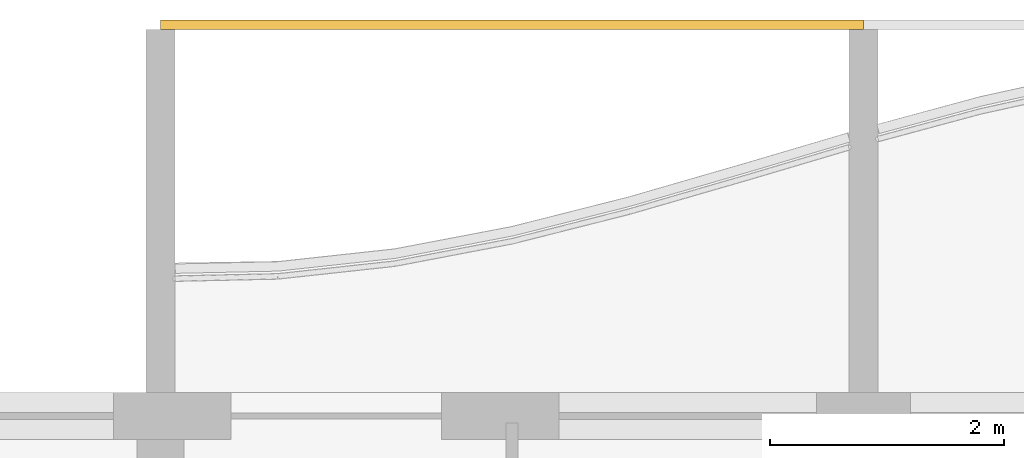
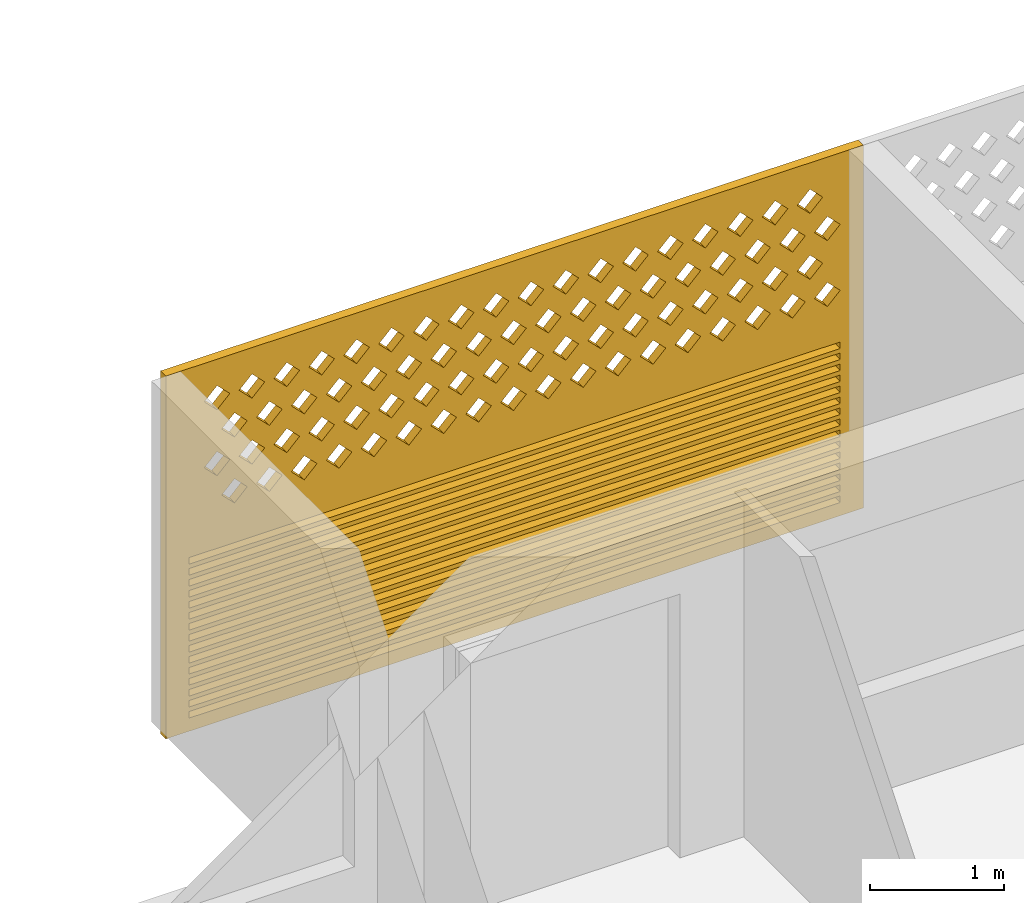
# One storey, part 27 of 44: 1 covering.
"""IFC4 building model written with IfcOpenShell, lengths in metres."""

from ifc_helpers import new_model, si_unit, direction, frame, origin, place, context, subcontext, project, spatial, polyline, outline, extrude, source, transform, mapped, material, material_profile, profile_set, type_object, element, save


model = new_model("IFC4")

# Units and contexts
model_context = context("Model", 3, precision=1e-05, world=origin(), true_north=direction((0.0, 1.0)))
body_context = subcontext(model_context, "Body", "Model", "MODEL_VIEW")
ifc_project = project(units=[si_unit("LENGTHUNIT", "METRE"), si_unit("AREAUNIT", "SQUARE_METRE"), si_unit("VOLUMEUNIT", "CUBIC_METRE"), si_unit("PLANEANGLEUNIT", "RADIAN"), si_unit("MASSUNIT", "GRAM", prefix="KILO")], contexts=[model_context])

# Site, building, storey
site_placement = place(None, origin())
site = spatial("IfcSite", under=ifc_project, at=site_placement, CompositionType="ELEMENT")
building_placement = place(site_placement, origin())
building = spatial("IfcBuilding", under=site, at=building_placement, Name="Poui Terraces", CompositionType="ELEMENT")
storey_placement = place(building_placement, frame((0.0, 0.0, 26.699951171875)))
storey = spatial("IfcBuildingStorey", under=building, at=storey_placement, Name="L06", CompositionType="ELEMENT", Elevation=26.699951171875)

# Covering
ifc_material = material(Name="Terracotta screen", Category="masonry")
ifc_material_profile = material_profile(ifc_material, outline(polyline([(-3.0, -1.64990234375), (3.0, -1.64990234375), (3.0, 1.64990234375), (-3.0, 1.64990234375), (-3.0, -1.64990234375)]), holes=[polyline([(-2.800048828125, 0.39990234375), (-2.68994140625, 0.2900390625), (-2.580078125, 0.39990234375), (-2.68994140625, 0.510009765625), (-2.800048828125, 0.39990234375)]), polyline([(-2.5, 0.39990234375), (-2.389892578125, 0.2900390625), (-2.280029296875, 0.39990234375), (-2.389892578125, 0.510009765625), (-2.5, 0.39990234375)]), polyline([(-2.199951171875, 0.39990234375), (-2.090087890625, 0.2900390625), (-1.97998046875, 0.39990234375), (-2.090087890625, 0.510009765625), (-2.199951171875, 0.39990234375)]), polyline([(-1.89990234375, 0.39990234375), (-1.7900390625, 0.2900390625), (-1.679931640625, 0.39990234375), (-1.7900390625, 0.510009765625), (-1.89990234375, 0.39990234375)]), polyline([(-1.60009765625, 0.39990234375), (-1.489990234375, 0.2900390625), (-1.3798828125, 0.39990234375), (-1.489990234375, 0.510009765625), (-1.60009765625, 0.39990234375)]), polyline([(-1.300048828125, 0.39990234375), (-1.18994140625, 0.2900390625), (-1.080078125, 0.39990234375), (-1.18994140625, 0.510009765625), (-1.300048828125, 0.39990234375)]), polyline([(-1.0, 0.39990234375), (-0.889892578125, 0.2900390625), (-0.780029296875, 0.39990234375), (-0.889892578125, 0.510009765625), (-1.0, 0.39990234375)]), polyline([(-0.699951171875, 0.39990234375), (-0.590087890625, 0.2900390625), (-0.47998046875, 0.39990234375), (-0.590087890625, 0.510009765625), (-0.699951171875, 0.39990234375)]), polyline([(-0.39990234375, 0.39990234375), (-0.2900390625, 0.2900390625), (-0.179931640625, 0.39990234375), (-0.2900390625, 0.510009765625), (-0.39990234375, 0.39990234375)]), polyline([(-0.10009765625, 0.39990234375), (0.010009765625, 0.2900390625), (0.1201171875, 0.39990234375), (0.010009765625, 0.510009765625), (-0.10009765625, 0.39990234375)]), polyline([(0.199951171875, 0.39990234375), (0.31005859375, 0.2900390625), (0.419921875, 0.39990234375), (0.31005859375, 0.510009765625), (0.199951171875, 0.39990234375)]), polyline([(0.5, 0.39990234375), (0.610107421875, 0.2900390625), (0.719970703125, 0.39990234375), (0.610107421875, 0.510009765625), (0.5, 0.39990234375)]), polyline([(0.800048828125, 0.39990234375), (0.909912109375, 0.2900390625), (1.02001953125, 0.39990234375), (0.909912109375, 0.510009765625), (0.800048828125, 0.39990234375)]), polyline([(1.10009765625, 0.39990234375), (1.2099609375, 0.2900390625), (1.320068359375, 0.39990234375), (1.2099609375, 0.510009765625), (1.10009765625, 0.39990234375)]), polyline([(1.39990234375, 0.39990234375), (1.510009765625, 0.2900390625), (1.6201171875, 0.39990234375), (1.510009765625, 0.510009765625), (1.39990234375, 0.39990234375)]), polyline([(1.699951171875, 0.39990234375), (1.81005859375, 0.2900390625), (1.919921875, 0.39990234375), (1.81005859375, 0.510009765625), (1.699951171875, 0.39990234375)]), polyline([(2.0, 0.39990234375), (2.110107421875, 0.2900390625), (2.219970703125, 0.39990234375), (2.110107421875, 0.510009765625), (2.0, 0.39990234375)]), polyline([(2.300048828125, 0.39990234375), (2.409912109375, 0.2900390625), (2.52001953125, 0.39990234375), (2.409912109375, 0.510009765625), (2.300048828125, 0.39990234375)]), polyline([(-2.64990234375, 0.699951171875), (-2.5400390625, 0.590087890625), (-2.429931640625, 0.699951171875), (-2.5400390625, 0.81005859375), (-2.64990234375, 0.699951171875)]), polyline([(-2.35009765625, 0.699951171875), (-2.239990234375, 0.590087890625), (-2.1298828125, 0.699951171875), (-2.239990234375, 0.81005859375), (-2.35009765625, 0.699951171875)]), polyline([(-2.050048828125, 0.699951171875), (-1.93994140625, 0.590087890625), (-1.830078125, 0.699951171875), (-1.93994140625, 0.81005859375), (-2.050048828125, 0.699951171875)]), polyline([(-1.75, 0.699951171875), (-1.639892578125, 0.590087890625), (-1.530029296875, 0.699951171875), (-1.639892578125, 0.81005859375), (-1.75, 0.699951171875)]), polyline([(-1.449951171875, 0.699951171875), (-1.340087890625, 0.590087890625), (-1.22998046875, 0.699951171875), (-1.340087890625, 0.81005859375), (-1.449951171875, 0.699951171875)]), polyline([(-1.14990234375, 0.699951171875), (-1.0400390625, 0.590087890625), (-0.929931640625, 0.699951171875), (-1.0400390625, 0.81005859375), (-1.14990234375, 0.699951171875)]), polyline([(-0.85009765625, 0.699951171875), (-0.739990234375, 0.590087890625), (-0.6298828125, 0.699951171875), (-0.739990234375, 0.81005859375), (-0.85009765625, 0.699951171875)]), polyline([(-0.550048828125, 0.699951171875), (-0.43994140625, 0.590087890625), (-0.330078125, 0.699951171875), (-0.43994140625, 0.81005859375), (-0.550048828125, 0.699951171875)]), polyline([(-0.25, 0.699951171875), (-0.139892578125, 0.590087890625), (-0.030029296875, 0.699951171875), (-0.139892578125, 0.81005859375), (-0.25, 0.699951171875)]), polyline([(0.050048828125, 0.699951171875), (0.159912109375, 0.590087890625), (0.27001953125, 0.699951171875), (0.159912109375, 0.81005859375), (0.050048828125, 0.699951171875)]), polyline([(0.35009765625, 0.699951171875), (0.4599609375, 0.590087890625), (0.570068359375, 0.699951171875), (0.4599609375, 0.81005859375), (0.35009765625, 0.699951171875)]), polyline([(0.64990234375, 0.699951171875), (0.760009765625, 0.590087890625), (0.8701171875, 0.699951171875), (0.760009765625, 0.81005859375), (0.64990234375, 0.699951171875)]), polyline([(0.949951171875, 0.699951171875), (1.06005859375, 0.590087890625), (1.169921875, 0.699951171875), (1.06005859375, 0.81005859375), (0.949951171875, 0.699951171875)]), polyline([(1.25, 0.699951171875), (1.360107421875, 0.590087890625), (1.469970703125, 0.699951171875), (1.360107421875, 0.81005859375), (1.25, 0.699951171875)]), polyline([(1.550048828125, 0.699951171875), (1.659912109375, 0.590087890625), (1.77001953125, 0.699951171875), (1.659912109375, 0.81005859375), (1.550048828125, 0.699951171875)]), polyline([(1.85009765625, 0.699951171875), (1.9599609375, 0.590087890625), (2.070068359375, 0.699951171875), (1.9599609375, 0.81005859375), (1.85009765625, 0.699951171875)]), polyline([(2.14990234375, 0.699951171875), (2.260009765625, 0.590087890625), (2.3701171875, 0.699951171875), (2.260009765625, 0.81005859375), (2.14990234375, 0.699951171875)]), polyline([(2.449951171875, 0.699951171875), (2.56005859375, 0.590087890625), (2.669921875, 0.699951171875), (2.56005859375, 0.81005859375), (2.449951171875, 0.699951171875)]), polyline([(-2.800048828125, 1.0), (-2.68994140625, 0.889892578125), (-2.580078125, 1.0), (-2.68994140625, 1.110107421875), (-2.800048828125, 1.0)]), polyline([(-2.5, 1.0), (-2.389892578125, 0.889892578125), (-2.280029296875, 1.0), (-2.389892578125, 1.110107421875), (-2.5, 1.0)]), polyline([(-2.199951171875, 1.0), (-2.090087890625, 0.889892578125), (-1.97998046875, 1.0), (-2.090087890625, 1.110107421875), (-2.199951171875, 1.0)]), polyline([(-1.89990234375, 1.0), (-1.7900390625, 0.889892578125), (-1.679931640625, 1.0), (-1.7900390625, 1.110107421875), (-1.89990234375, 1.0)]), polyline([(-1.60009765625, 1.0), (-1.489990234375, 0.889892578125), (-1.3798828125, 1.0), (-1.489990234375, 1.110107421875), (-1.60009765625, 1.0)]), polyline([(-1.300048828125, 1.0), (-1.18994140625, 0.889892578125), (-1.080078125, 1.0), (-1.18994140625, 1.110107421875), (-1.300048828125, 1.0)]), polyline([(-1.0, 1.0), (-0.889892578125, 0.889892578125), (-0.780029296875, 1.0), (-0.889892578125, 1.110107421875), (-1.0, 1.0)]), polyline([(-0.699951171875, 1.0), (-0.590087890625, 0.889892578125), (-0.47998046875, 1.0), (-0.590087890625, 1.110107421875), (-0.699951171875, 1.0)]), polyline([(-0.39990234375, 1.0), (-0.2900390625, 0.889892578125), (-0.179931640625, 1.0), (-0.2900390625, 1.110107421875), (-0.39990234375, 1.0)]), polyline([(-0.10009765625, 1.0), (0.010009765625, 0.889892578125), (0.1201171875, 1.0), (0.010009765625, 1.110107421875), (-0.10009765625, 1.0)]), polyline([(0.199951171875, 1.0), (0.31005859375, 0.889892578125), (0.419921875, 1.0), (0.31005859375, 1.110107421875), (0.199951171875, 1.0)]), polyline([(0.5, 1.0), (0.610107421875, 0.889892578125), (0.719970703125, 1.0), (0.610107421875, 1.110107421875), (0.5, 1.0)]), polyline([(0.800048828125, 1.0), (0.909912109375, 0.889892578125), (1.02001953125, 1.0), (0.909912109375, 1.110107421875), (0.800048828125, 1.0)]), polyline([(1.10009765625, 1.0), (1.2099609375, 0.889892578125), (1.320068359375, 1.0), (1.2099609375, 1.110107421875), (1.10009765625, 1.0)]), polyline([(1.39990234375, 1.0), (1.510009765625, 0.889892578125), (1.6201171875, 1.0), (1.510009765625, 1.110107421875), (1.39990234375, 1.0)]), polyline([(1.699951171875, 1.0), (1.81005859375, 0.889892578125), (1.919921875, 1.0), (1.81005859375, 1.110107421875), (1.699951171875, 1.0)]), polyline([(2.0, 1.0), (2.110107421875, 0.889892578125), (2.219970703125, 1.0), (2.110107421875, 1.110107421875), (2.0, 1.0)]), polyline([(2.300048828125, 1.0), (2.409912109375, 0.889892578125), (2.52001953125, 1.0), (2.409912109375, 1.110107421875), (2.300048828125, 1.0)]), polyline([(-2.64990234375, 1.300048828125), (-2.5400390625, 1.18994140625), (-2.429931640625, 1.300048828125), (-2.5400390625, 1.409912109375), (-2.64990234375, 1.300048828125)]), polyline([(-2.35009765625, 1.300048828125), (-2.239990234375, 1.18994140625), (-2.1298828125, 1.300048828125), (-2.239990234375, 1.409912109375), (-2.35009765625, 1.300048828125)]), polyline([(-2.050048828125, 1.300048828125), (-1.93994140625, 1.18994140625), (-1.830078125, 1.300048828125), (-1.93994140625, 1.409912109375), (-2.050048828125, 1.300048828125)]), polyline([(-1.75, 1.300048828125), (-1.639892578125, 1.18994140625), (-1.530029296875, 1.300048828125), (-1.639892578125, 1.409912109375), (-1.75, 1.300048828125)]), polyline([(-1.449951171875, 1.300048828125), (-1.340087890625, 1.18994140625), (-1.22998046875, 1.300048828125), (-1.340087890625, 1.409912109375), (-1.449951171875, 1.300048828125)]), polyline([(-1.14990234375, 1.300048828125), (-1.0400390625, 1.18994140625), (-0.929931640625, 1.300048828125), (-1.0400390625, 1.409912109375), (-1.14990234375, 1.300048828125)]), polyline([(-0.85009765625, 1.300048828125), (-0.739990234375, 1.18994140625), (-0.6298828125, 1.300048828125), (-0.739990234375, 1.409912109375), (-0.85009765625, 1.300048828125)]), polyline([(-0.550048828125, 1.300048828125), (-0.43994140625, 1.18994140625), (-0.330078125, 1.300048828125), (-0.43994140625, 1.409912109375), (-0.550048828125, 1.300048828125)]), polyline([(-0.25, 1.300048828125), (-0.139892578125, 1.18994140625), (-0.030029296875, 1.300048828125), (-0.139892578125, 1.409912109375), (-0.25, 1.300048828125)]), polyline([(0.050048828125, 1.300048828125), (0.159912109375, 1.18994140625), (0.27001953125, 1.300048828125), (0.159912109375, 1.409912109375), (0.050048828125, 1.300048828125)]), polyline([(0.35009765625, 1.300048828125), (0.4599609375, 1.18994140625), (0.570068359375, 1.300048828125), (0.4599609375, 1.409912109375), (0.35009765625, 1.300048828125)]), polyline([(0.64990234375, 1.300048828125), (0.760009765625, 1.18994140625), (0.8701171875, 1.300048828125), (0.760009765625, 1.409912109375), (0.64990234375, 1.300048828125)]), polyline([(0.949951171875, 1.300048828125), (1.06005859375, 1.18994140625), (1.169921875, 1.300048828125), (1.06005859375, 1.409912109375), (0.949951171875, 1.300048828125)]), polyline([(1.25, 1.300048828125), (1.360107421875, 1.18994140625), (1.469970703125, 1.300048828125), (1.360107421875, 1.409912109375), (1.25, 1.300048828125)]), polyline([(1.550048828125, 1.300048828125), (1.659912109375, 1.18994140625), (1.77001953125, 1.300048828125), (1.659912109375, 1.409912109375), (1.550048828125, 1.300048828125)]), polyline([(1.85009765625, 1.300048828125), (1.9599609375, 1.18994140625), (2.070068359375, 1.300048828125), (1.9599609375, 1.409912109375), (1.85009765625, 1.300048828125)]), polyline([(2.14990234375, 1.300048828125), (2.260009765625, 1.18994140625), (2.3701171875, 1.300048828125), (2.260009765625, 1.409912109375), (2.14990234375, 1.300048828125)]), polyline([(2.449951171875, 1.300048828125), (2.56005859375, 1.18994140625), (2.669921875, 1.300048828125), (2.56005859375, 1.409912109375), (2.449951171875, 1.300048828125)]), polyline([(-2.800048828125, -1.530029296875), (2.800048828125, -1.530029296875), (2.800048828125, -1.469970703125), (-2.800048828125, -1.469970703125), (-2.800048828125, -1.530029296875)]), polyline([(-2.800048828125, -1.429931640625), (2.800048828125, -1.429931640625), (2.800048828125, -1.3701171875), (-2.800048828125, -1.3701171875), (-2.800048828125, -1.429931640625)]), polyline([(-2.800048828125, -1.330078125), (2.800048828125, -1.330078125), (2.800048828125, -1.27001953125), (-2.800048828125, -1.27001953125), (-2.800048828125, -1.330078125)]), polyline([(-2.800048828125, -1.22998046875), (2.800048828125, -1.22998046875), (2.800048828125, -1.169921875), (-2.800048828125, -1.169921875), (-2.800048828125, -1.22998046875)]), polyline([(-2.800048828125, -1.1298828125), (2.800048828125, -1.1298828125), (2.800048828125, -1.070068359375), (-2.800048828125, -1.070068359375), (-2.800048828125, -1.1298828125)]), polyline([(-2.800048828125, -1.030029296875), (2.800048828125, -1.030029296875), (2.800048828125, -0.969970703125), (-2.800048828125, -0.969970703125), (-2.800048828125, -1.030029296875)]), polyline([(-2.800048828125, -0.929931640625), (2.800048828125, -0.929931640625), (2.800048828125, -0.8701171875), (-2.800048828125, -0.8701171875), (-2.800048828125, -0.929931640625)]), polyline([(-2.800048828125, -0.830078125), (2.800048828125, -0.830078125), (2.800048828125, -0.77001953125), (-2.800048828125, -0.77001953125), (-2.800048828125, -0.830078125)]), polyline([(-2.800048828125, -0.72998046875), (2.800048828125, -0.72998046875), (2.800048828125, -0.669921875), (-2.800048828125, -0.669921875), (-2.800048828125, -0.72998046875)]), polyline([(-2.800048828125, -0.6298828125), (2.800048828125, -0.6298828125), (2.800048828125, -0.570068359375), (-2.800048828125, -0.570068359375), (-2.800048828125, -0.6298828125)]), polyline([(-2.800048828125, -0.530029296875), (2.800048828125, -0.530029296875), (2.800048828125, -0.469970703125), (-2.800048828125, -0.469970703125), (-2.800048828125, -0.530029296875)]), polyline([(-2.800048828125, -0.429931640625), (2.800048828125, -0.429931640625), (2.800048828125, -0.3701171875), (-2.800048828125, -0.3701171875), (-2.800048828125, -0.429931640625)]), polyline([(-2.800048828125, -0.330078125), (2.800048828125, -0.330078125), (2.800048828125, -0.27001953125), (-2.800048828125, -0.27001953125), (-2.800048828125, -0.330078125)]), polyline([(-2.800048828125, -0.22998046875), (2.800048828125, -0.22998046875), (2.800048828125, -0.169921875), (-2.800048828125, -0.169921875), (-2.800048828125, -0.22998046875)]), polyline([(-2.800048828125, -0.1298828125), (2.800048828125, -0.1298828125), (2.800048828125, -0.070068359375), (-2.800048828125, -0.070068359375), (-2.800048828125, -0.1298828125)])]), Name="TERRACOTTA SCREEN AND JALOUSIE LOUVRE 6000X3300")
ifc_profile_set = profile_set([ifc_material_profile], Name="Terracotta screen")
covering_type = type_object("IfcCoveringType", Name="TERRACOTTA SCREEN AND JALOUSIE LOUVRE 6000X3300", PredefinedType="CLADDING", material=ifc_profile_set)
shared_shape = source(origin(), body_context, "Body", "SweptSolid", [
    extrude(outline(polyline([(-3.0, -1.64990234375), (3.0, -1.64990234375), (3.0, 1.64990234375), (-3.0, 1.64990234375), (-3.0, -1.64990234375)]), holes=[polyline([(-2.800048828125, 0.39990234375), (-2.68994140625, 0.2900390625), (-2.580078125, 0.39990234375), (-2.68994140625, 0.510009765625), (-2.800048828125, 0.39990234375)]), polyline([(-2.5, 0.39990234375), (-2.389892578125, 0.2900390625), (-2.280029296875, 0.39990234375), (-2.389892578125, 0.510009765625), (-2.5, 0.39990234375)]), polyline([(-2.199951171875, 0.39990234375), (-2.090087890625, 0.2900390625), (-1.97998046875, 0.39990234375), (-2.090087890625, 0.510009765625), (-2.199951171875, 0.39990234375)]), polyline([(-1.89990234375, 0.39990234375), (-1.7900390625, 0.2900390625), (-1.679931640625, 0.39990234375), (-1.7900390625, 0.510009765625), (-1.89990234375, 0.39990234375)]), polyline([(-1.60009765625, 0.39990234375), (-1.489990234375, 0.2900390625), (-1.3798828125, 0.39990234375), (-1.489990234375, 0.510009765625), (-1.60009765625, 0.39990234375)]), polyline([(-1.300048828125, 0.39990234375), (-1.18994140625, 0.2900390625), (-1.080078125, 0.39990234375), (-1.18994140625, 0.510009765625), (-1.300048828125, 0.39990234375)]), polyline([(-1.0, 0.39990234375), (-0.889892578125, 0.2900390625), (-0.780029296875, 0.39990234375), (-0.889892578125, 0.510009765625), (-1.0, 0.39990234375)]), polyline([(-0.699951171875, 0.39990234375), (-0.590087890625, 0.2900390625), (-0.47998046875, 0.39990234375), (-0.590087890625, 0.510009765625), (-0.699951171875, 0.39990234375)]), polyline([(-0.39990234375, 0.39990234375), (-0.2900390625, 0.2900390625), (-0.179931640625, 0.39990234375), (-0.2900390625, 0.510009765625), (-0.39990234375, 0.39990234375)]), polyline([(-0.10009765625, 0.39990234375), (0.010009765625, 0.2900390625), (0.1201171875, 0.39990234375), (0.010009765625, 0.510009765625), (-0.10009765625, 0.39990234375)]), polyline([(0.199951171875, 0.39990234375), (0.31005859375, 0.2900390625), (0.419921875, 0.39990234375), (0.31005859375, 0.510009765625), (0.199951171875, 0.39990234375)]), polyline([(0.5, 0.39990234375), (0.610107421875, 0.2900390625), (0.719970703125, 0.39990234375), (0.610107421875, 0.510009765625), (0.5, 0.39990234375)]), polyline([(0.800048828125, 0.39990234375), (0.909912109375, 0.2900390625), (1.02001953125, 0.39990234375), (0.909912109375, 0.510009765625), (0.800048828125, 0.39990234375)]), polyline([(1.10009765625, 0.39990234375), (1.2099609375, 0.2900390625), (1.320068359375, 0.39990234375), (1.2099609375, 0.510009765625), (1.10009765625, 0.39990234375)]), polyline([(1.39990234375, 0.39990234375), (1.510009765625, 0.2900390625), (1.6201171875, 0.39990234375), (1.510009765625, 0.510009765625), (1.39990234375, 0.39990234375)]), polyline([(1.699951171875, 0.39990234375), (1.81005859375, 0.2900390625), (1.919921875, 0.39990234375), (1.81005859375, 0.510009765625), (1.699951171875, 0.39990234375)]), polyline([(2.0, 0.39990234375), (2.110107421875, 0.2900390625), (2.219970703125, 0.39990234375), (2.110107421875, 0.510009765625), (2.0, 0.39990234375)]), polyline([(2.300048828125, 0.39990234375), (2.409912109375, 0.2900390625), (2.52001953125, 0.39990234375), (2.409912109375, 0.510009765625), (2.300048828125, 0.39990234375)]), polyline([(-2.64990234375, 0.699951171875), (-2.5400390625, 0.590087890625), (-2.429931640625, 0.699951171875), (-2.5400390625, 0.81005859375), (-2.64990234375, 0.699951171875)]), polyline([(-2.35009765625, 0.699951171875), (-2.239990234375, 0.590087890625), (-2.1298828125, 0.699951171875), (-2.239990234375, 0.81005859375), (-2.35009765625, 0.699951171875)]), polyline([(-2.050048828125, 0.699951171875), (-1.93994140625, 0.590087890625), (-1.830078125, 0.699951171875), (-1.93994140625, 0.81005859375), (-2.050048828125, 0.699951171875)]), polyline([(-1.75, 0.699951171875), (-1.639892578125, 0.590087890625), (-1.530029296875, 0.699951171875), (-1.639892578125, 0.81005859375), (-1.75, 0.699951171875)]), polyline([(-1.449951171875, 0.699951171875), (-1.340087890625, 0.590087890625), (-1.22998046875, 0.699951171875), (-1.340087890625, 0.81005859375), (-1.449951171875, 0.699951171875)]), polyline([(-1.14990234375, 0.699951171875), (-1.0400390625, 0.590087890625), (-0.929931640625, 0.699951171875), (-1.0400390625, 0.81005859375), (-1.14990234375, 0.699951171875)]), polyline([(-0.85009765625, 0.699951171875), (-0.739990234375, 0.590087890625), (-0.6298828125, 0.699951171875), (-0.739990234375, 0.81005859375), (-0.85009765625, 0.699951171875)]), polyline([(-0.550048828125, 0.699951171875), (-0.43994140625, 0.590087890625), (-0.330078125, 0.699951171875), (-0.43994140625, 0.81005859375), (-0.550048828125, 0.699951171875)]), polyline([(-0.25, 0.699951171875), (-0.139892578125, 0.590087890625), (-0.030029296875, 0.699951171875), (-0.139892578125, 0.81005859375), (-0.25, 0.699951171875)]), polyline([(0.050048828125, 0.699951171875), (0.159912109375, 0.590087890625), (0.27001953125, 0.699951171875), (0.159912109375, 0.81005859375), (0.050048828125, 0.699951171875)]), polyline([(0.35009765625, 0.699951171875), (0.4599609375, 0.590087890625), (0.570068359375, 0.699951171875), (0.4599609375, 0.81005859375), (0.35009765625, 0.699951171875)]), polyline([(0.64990234375, 0.699951171875), (0.760009765625, 0.590087890625), (0.8701171875, 0.699951171875), (0.760009765625, 0.81005859375), (0.64990234375, 0.699951171875)]), polyline([(0.949951171875, 0.699951171875), (1.06005859375, 0.590087890625), (1.169921875, 0.699951171875), (1.06005859375, 0.81005859375), (0.949951171875, 0.699951171875)]), polyline([(1.25, 0.699951171875), (1.360107421875, 0.590087890625), (1.469970703125, 0.699951171875), (1.360107421875, 0.81005859375), (1.25, 0.699951171875)]), polyline([(1.550048828125, 0.699951171875), (1.659912109375, 0.590087890625), (1.77001953125, 0.699951171875), (1.659912109375, 0.81005859375), (1.550048828125, 0.699951171875)]), polyline([(1.85009765625, 0.699951171875), (1.9599609375, 0.590087890625), (2.070068359375, 0.699951171875), (1.9599609375, 0.81005859375), (1.85009765625, 0.699951171875)]), polyline([(2.14990234375, 0.699951171875), (2.260009765625, 0.590087890625), (2.3701171875, 0.699951171875), (2.260009765625, 0.81005859375), (2.14990234375, 0.699951171875)]), polyline([(2.449951171875, 0.699951171875), (2.56005859375, 0.590087890625), (2.669921875, 0.699951171875), (2.56005859375, 0.81005859375), (2.449951171875, 0.699951171875)]), polyline([(-2.800048828125, 1.0), (-2.68994140625, 0.889892578125), (-2.580078125, 1.0), (-2.68994140625, 1.110107421875), (-2.800048828125, 1.0)]), polyline([(-2.5, 1.0), (-2.389892578125, 0.889892578125), (-2.280029296875, 1.0), (-2.389892578125, 1.110107421875), (-2.5, 1.0)]), polyline([(-2.199951171875, 1.0), (-2.090087890625, 0.889892578125), (-1.97998046875, 1.0), (-2.090087890625, 1.110107421875), (-2.199951171875, 1.0)]), polyline([(-1.89990234375, 1.0), (-1.7900390625, 0.889892578125), (-1.679931640625, 1.0), (-1.7900390625, 1.110107421875), (-1.89990234375, 1.0)]), polyline([(-1.60009765625, 1.0), (-1.489990234375, 0.889892578125), (-1.3798828125, 1.0), (-1.489990234375, 1.110107421875), (-1.60009765625, 1.0)]), polyline([(-1.300048828125, 1.0), (-1.18994140625, 0.889892578125), (-1.080078125, 1.0), (-1.18994140625, 1.110107421875), (-1.300048828125, 1.0)]), polyline([(-1.0, 1.0), (-0.889892578125, 0.889892578125), (-0.780029296875, 1.0), (-0.889892578125, 1.110107421875), (-1.0, 1.0)]), polyline([(-0.699951171875, 1.0), (-0.590087890625, 0.889892578125), (-0.47998046875, 1.0), (-0.590087890625, 1.110107421875), (-0.699951171875, 1.0)]), polyline([(-0.39990234375, 1.0), (-0.2900390625, 0.889892578125), (-0.179931640625, 1.0), (-0.2900390625, 1.110107421875), (-0.39990234375, 1.0)]), polyline([(-0.10009765625, 1.0), (0.010009765625, 0.889892578125), (0.1201171875, 1.0), (0.010009765625, 1.110107421875), (-0.10009765625, 1.0)]), polyline([(0.199951171875, 1.0), (0.31005859375, 0.889892578125), (0.419921875, 1.0), (0.31005859375, 1.110107421875), (0.199951171875, 1.0)]), polyline([(0.5, 1.0), (0.610107421875, 0.889892578125), (0.719970703125, 1.0), (0.610107421875, 1.110107421875), (0.5, 1.0)]), polyline([(0.800048828125, 1.0), (0.909912109375, 0.889892578125), (1.02001953125, 1.0), (0.909912109375, 1.110107421875), (0.800048828125, 1.0)]), polyline([(1.10009765625, 1.0), (1.2099609375, 0.889892578125), (1.320068359375, 1.0), (1.2099609375, 1.110107421875), (1.10009765625, 1.0)]), polyline([(1.39990234375, 1.0), (1.510009765625, 0.889892578125), (1.6201171875, 1.0), (1.510009765625, 1.110107421875), (1.39990234375, 1.0)]), polyline([(1.699951171875, 1.0), (1.81005859375, 0.889892578125), (1.919921875, 1.0), (1.81005859375, 1.110107421875), (1.699951171875, 1.0)]), polyline([(2.0, 1.0), (2.110107421875, 0.889892578125), (2.219970703125, 1.0), (2.110107421875, 1.110107421875), (2.0, 1.0)]), polyline([(2.300048828125, 1.0), (2.409912109375, 0.889892578125), (2.52001953125, 1.0), (2.409912109375, 1.110107421875), (2.300048828125, 1.0)]), polyline([(-2.64990234375, 1.300048828125), (-2.5400390625, 1.18994140625), (-2.429931640625, 1.300048828125), (-2.5400390625, 1.409912109375), (-2.64990234375, 1.300048828125)]), polyline([(-2.35009765625, 1.300048828125), (-2.239990234375, 1.18994140625), (-2.1298828125, 1.300048828125), (-2.239990234375, 1.409912109375), (-2.35009765625, 1.300048828125)]), polyline([(-2.050048828125, 1.300048828125), (-1.93994140625, 1.18994140625), (-1.830078125, 1.300048828125), (-1.93994140625, 1.409912109375), (-2.050048828125, 1.300048828125)]), polyline([(-1.75, 1.300048828125), (-1.639892578125, 1.18994140625), (-1.530029296875, 1.300048828125), (-1.639892578125, 1.409912109375), (-1.75, 1.300048828125)]), polyline([(-1.449951171875, 1.300048828125), (-1.340087890625, 1.18994140625), (-1.22998046875, 1.300048828125), (-1.340087890625, 1.409912109375), (-1.449951171875, 1.300048828125)]), polyline([(-1.14990234375, 1.300048828125), (-1.0400390625, 1.18994140625), (-0.929931640625, 1.300048828125), (-1.0400390625, 1.409912109375), (-1.14990234375, 1.300048828125)]), polyline([(-0.85009765625, 1.300048828125), (-0.739990234375, 1.18994140625), (-0.6298828125, 1.300048828125), (-0.739990234375, 1.409912109375), (-0.85009765625, 1.300048828125)]), polyline([(-0.550048828125, 1.300048828125), (-0.43994140625, 1.18994140625), (-0.330078125, 1.300048828125), (-0.43994140625, 1.409912109375), (-0.550048828125, 1.300048828125)]), polyline([(-0.25, 1.300048828125), (-0.139892578125, 1.18994140625), (-0.030029296875, 1.300048828125), (-0.139892578125, 1.409912109375), (-0.25, 1.300048828125)]), polyline([(0.050048828125, 1.300048828125), (0.159912109375, 1.18994140625), (0.27001953125, 1.300048828125), (0.159912109375, 1.409912109375), (0.050048828125, 1.300048828125)]), polyline([(0.35009765625, 1.300048828125), (0.4599609375, 1.18994140625), (0.570068359375, 1.300048828125), (0.4599609375, 1.409912109375), (0.35009765625, 1.300048828125)]), polyline([(0.64990234375, 1.300048828125), (0.760009765625, 1.18994140625), (0.8701171875, 1.300048828125), (0.760009765625, 1.409912109375), (0.64990234375, 1.300048828125)]), polyline([(0.949951171875, 1.300048828125), (1.06005859375, 1.18994140625), (1.169921875, 1.300048828125), (1.06005859375, 1.409912109375), (0.949951171875, 1.300048828125)]), polyline([(1.25, 1.300048828125), (1.360107421875, 1.18994140625), (1.469970703125, 1.300048828125), (1.360107421875, 1.409912109375), (1.25, 1.300048828125)]), polyline([(1.550048828125, 1.300048828125), (1.659912109375, 1.18994140625), (1.77001953125, 1.300048828125), (1.659912109375, 1.409912109375), (1.550048828125, 1.300048828125)]), polyline([(1.85009765625, 1.300048828125), (1.9599609375, 1.18994140625), (2.070068359375, 1.300048828125), (1.9599609375, 1.409912109375), (1.85009765625, 1.300048828125)]), polyline([(2.14990234375, 1.300048828125), (2.260009765625, 1.18994140625), (2.3701171875, 1.300048828125), (2.260009765625, 1.409912109375), (2.14990234375, 1.300048828125)]), polyline([(2.449951171875, 1.300048828125), (2.56005859375, 1.18994140625), (2.669921875, 1.300048828125), (2.56005859375, 1.409912109375), (2.449951171875, 1.300048828125)]), polyline([(-2.800048828125, -1.530029296875), (2.800048828125, -1.530029296875), (2.800048828125, -1.469970703125), (-2.800048828125, -1.469970703125), (-2.800048828125, -1.530029296875)]), polyline([(-2.800048828125, -1.429931640625), (2.800048828125, -1.429931640625), (2.800048828125, -1.3701171875), (-2.800048828125, -1.3701171875), (-2.800048828125, -1.429931640625)]), polyline([(-2.800048828125, -1.330078125), (2.800048828125, -1.330078125), (2.800048828125, -1.27001953125), (-2.800048828125, -1.27001953125), (-2.800048828125, -1.330078125)]), polyline([(-2.800048828125, -1.22998046875), (2.800048828125, -1.22998046875), (2.800048828125, -1.169921875), (-2.800048828125, -1.169921875), (-2.800048828125, -1.22998046875)]), polyline([(-2.800048828125, -1.1298828125), (2.800048828125, -1.1298828125), (2.800048828125, -1.070068359375), (-2.800048828125, -1.070068359375), (-2.800048828125, -1.1298828125)]), polyline([(-2.800048828125, -1.030029296875), (2.800048828125, -1.030029296875), (2.800048828125, -0.969970703125), (-2.800048828125, -0.969970703125), (-2.800048828125, -1.030029296875)]), polyline([(-2.800048828125, -0.929931640625), (2.800048828125, -0.929931640625), (2.800048828125, -0.8701171875), (-2.800048828125, -0.8701171875), (-2.800048828125, -0.929931640625)]), polyline([(-2.800048828125, -0.830078125), (2.800048828125, -0.830078125), (2.800048828125, -0.77001953125), (-2.800048828125, -0.77001953125), (-2.800048828125, -0.830078125)]), polyline([(-2.800048828125, -0.72998046875), (2.800048828125, -0.72998046875), (2.800048828125, -0.669921875), (-2.800048828125, -0.669921875), (-2.800048828125, -0.72998046875)]), polyline([(-2.800048828125, -0.6298828125), (2.800048828125, -0.6298828125), (2.800048828125, -0.570068359375), (-2.800048828125, -0.570068359375), (-2.800048828125, -0.6298828125)]), polyline([(-2.800048828125, -0.530029296875), (2.800048828125, -0.530029296875), (2.800048828125, -0.469970703125), (-2.800048828125, -0.469970703125), (-2.800048828125, -0.530029296875)]), polyline([(-2.800048828125, -0.429931640625), (2.800048828125, -0.429931640625), (2.800048828125, -0.3701171875), (-2.800048828125, -0.3701171875), (-2.800048828125, -0.429931640625)]), polyline([(-2.800048828125, -0.330078125), (2.800048828125, -0.330078125), (2.800048828125, -0.27001953125), (-2.800048828125, -0.27001953125), (-2.800048828125, -0.330078125)]), polyline([(-2.800048828125, -0.22998046875), (2.800048828125, -0.22998046875), (2.800048828125, -0.169921875), (-2.800048828125, -0.169921875), (-2.800048828125, -0.22998046875)]), polyline([(-2.800048828125, -0.1298828125), (2.800048828125, -0.1298828125), (2.800048828125, -0.070068359375), (-2.800048828125, -0.070068359375), (-2.800048828125, -0.1298828125)])]), origin(), (0.0, 0.0, 1.0), 0.079833984375),
])
covering_placement = place(storey_placement, frame((33.0, 48.10009765625, 1.449951171875), z_axis=(0.0, 1.0, 0.0), x_axis=(-1.0, 0.0, 0.0)))
element("IfcCovering", 1, at=covering_placement, inside=storey, type_object=covering_type, Name="SOLAR SCREEN AND JALOUSIE LOUVRE", PredefinedType="CLADDING", context=body_context, shape_type="MappedRepresentation", body=[
    mapped(shared_shape, transform((0.0, 0.0, 0.0))),
])

save(model, "model.ifc")
